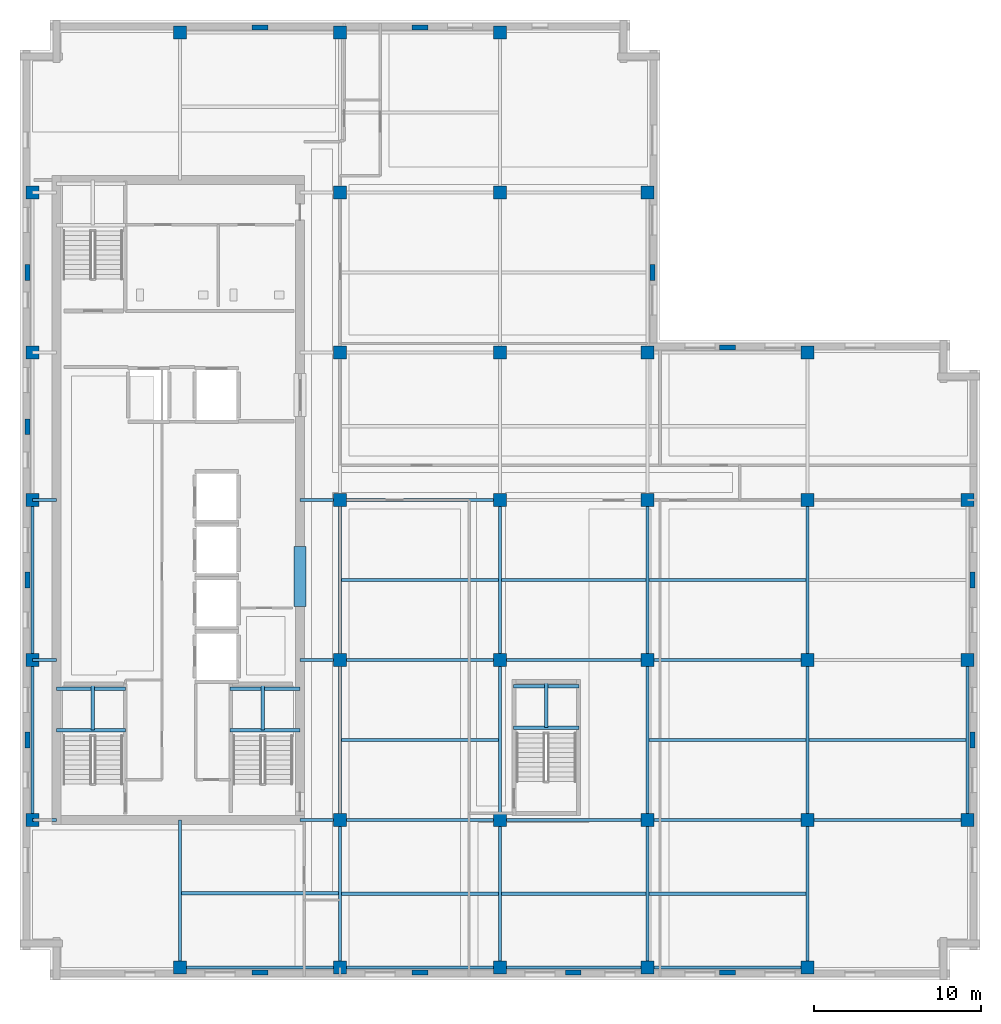
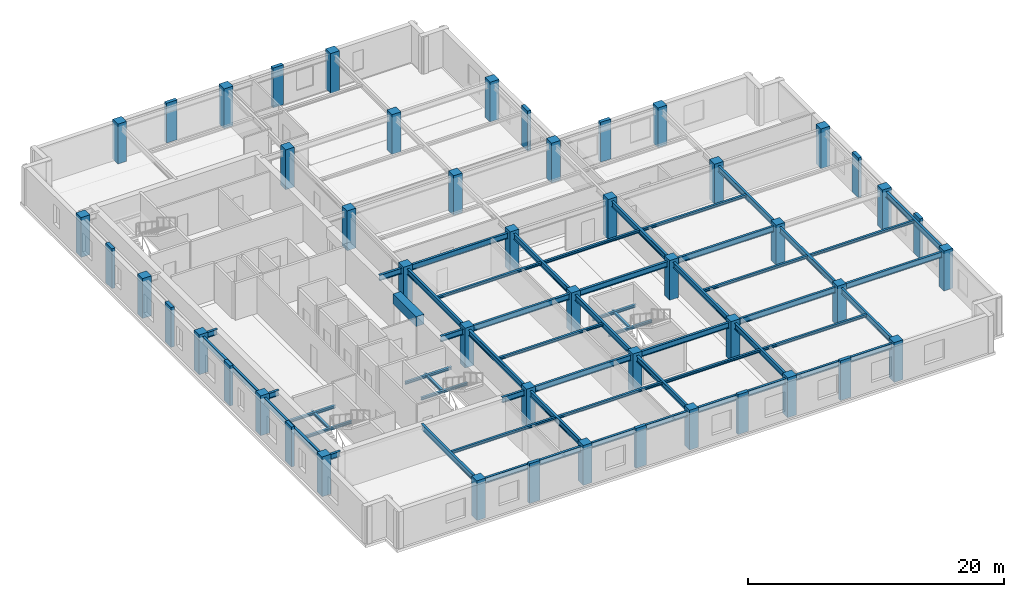
# One storey, part 1 of 12: 54 beams, 49 columns.
"""IFC4 building model written with IfcOpenShell, lengths in metres."""

from ifc_helpers import new_model, si_unit, direction, frame, origin, origin_2d, place, context, subcontext, project, spatial, rectangle, i_section, extrude, material, material_profile, profile_set, type_object, element, save


model = new_model("IFC4")

# Units and contexts
model_context = context("Model", 3, precision=1e-05, world=origin(), true_north=direction((0.0, 1.0)))
body_context = subcontext(model_context, "Body", "Model", "MODEL_VIEW")
ifc_project = project(units=[si_unit("LENGTHUNIT", "METRE"), si_unit("AREAUNIT", "SQUARE_METRE"), si_unit("VOLUMEUNIT", "CUBIC_METRE"), si_unit("PLANEANGLEUNIT", "RADIAN"), si_unit("MASSUNIT", "GRAM", prefix="KILO")], contexts=[model_context])

# Site, building, storey
site_placement = place(None, origin())
site = spatial("IfcSite", under=ifc_project, at=site_placement, CompositionType="ELEMENT")
building_placement = place(site_placement, origin())
building = spatial("IfcBuilding", under=site, at=building_placement, Name="Norrvale University Quadrangle", CompositionType="ELEMENT")
storey_placement = place(building_placement, frame((0.0, 0.0, 244.60009765625)))
storey = spatial("IfcBuildingStorey", under=building, at=storey_placement, Name="L62", CompositionType="ELEMENT", Elevation=244.60009765625)

# Columns
ifc_material_1 = material(Name="Red Manganese Brick Concrete C60/75", Category="concrete")
ifc_material_profile_1 = material_profile(ifc_material_1, rectangle(XDim=0.949951171875, YDim=0.300048828125, at=origin_2d()), Name="Red Manganese Brick Concrete C60/75")
ifc_profile_set_1 = profile_set([ifc_material_profile_1], Name="Red Manganese Brick Concrete C60/75")
column_type_1 = type_object("IfcColumnType", Name="Column Brick Pier 950x300", PredefinedType="PILASTER", material=ifc_profile_set_1)
for number, where, z_axis, x_axis, name in (
    (1, (0.449951171875, 14.39990234375, 0.0), (0.0, 0.0, 1.0), (0.0, 1.0, 0.0), "Exterior Brick Facade Pilaster L62-01"),
    (2, (0.449951171875, 24.0, 0.0), (0.0, 0.0, 1.0), (0.0, 1.0, 0.0), "Exterior Brick Facade Pilaster L62-02"),
    (3, (0.449951171875, 33.199951171875, 0.0), (0.0, 0.0, 1.0), (0.0, 1.0, 0.0), "Exterior Brick Facade Pilaster L62-03"),
    (4, (0.449951171875, 42.449951171875, 0.0), (0.0, 0.0, 1.0), (0.0, 1.0, 0.0), "Exterior Brick Facade Pilaster L62-04"),
    (5, (14.39990234375, 0.449951171875, 0.0), (0.0, 0.0, 1.0), (1.0, 0.0, 0.0), "Exterior Brick Facade Pilaster L62-05"),
    (6, (24.0, 0.449951171875, 0.0), (0.0, 0.0, 1.0), (1.0, 0.0, 0.0), "Exterior Brick Facade Pilaster L62-06"),
    (7, (33.199951171875, 0.449951171875, 0.0), (0.0, 0.0, 1.0), (1.0, 0.0, 0.0), "Exterior Brick Facade Pilaster L62-07"),
    (8, (42.449951171875, 0.449951171875, 0.0), (0.0, 0.0, 1.0), (1.0, 0.0, 0.0), "Exterior Brick Facade Pilaster L62-08"),
    (9, (57.14990234375, 14.39990234375, 0.0), (0.0, 0.0, 1.0), (0.0, 1.0, 0.0), "Exterior Brick Facade Pilaster L62-09"),
    (10, (57.14990234375, 24.0, 0.0), (0.0, 0.0, 1.0), (0.0, 1.0, 0.0), "Exterior Brick Facade Pilaster L62-10"),
    (11, (14.39990234375, 57.14990234375, 0.0), (0.0, 0.0, 1.0), (1.0, 0.0, 0.0), "Exterior Brick Facade Pilaster L62-11"),
    (12, (24.0, 57.14990234375, 0.0), (0.0, 0.0, 1.0), (1.0, 0.0, 0.0), "Exterior Brick Facade Pilaster L62-12"),
    (13, (37.949951171875, 42.449951171875, 0.0), (0.0, 0.0, 1.0), (0.0, 1.0, 0.0), "Exterior Brick Facade Pilaster L62-13"),
    (14, (42.449951171875, 37.949951171875, 0.0), (0.0, 0.0, 1.0), (1.0, 0.0, 0.0), "Exterior Brick Facade Pilaster L62-14"),
):
    element("IfcColumn", number, at=place(storey_placement, frame(where, z_axis=z_axis, x_axis=x_axis)), inside=storey, type_object=column_type_1, Name=name, PredefinedType="PILASTER", context=body_context, shape_type="SweptSolid", body=[
        extrude(rectangle(XDim=0.949951171875, YDim=0.300048828125, at=origin_2d()), origin(), (0.0, 0.0, 1.0), 3.7998046875),
    ])
ifc_material_2 = material(Name="Concrete C60/75", Category="concrete")
ifc_material_profile_2 = material_profile(ifc_material_2, rectangle(XDim=0.800048828125, YDim=0.800048828125, at=origin_2d()), Name="Concrete C60/75")
ifc_profile_set_2 = profile_set([ifc_material_profile_2], Name="Concrete C60/75")
column_type_2 = type_object("IfcColumnType", Name="Column Tower Z3 800x800", PredefinedType="COLUMN", material=ifc_profile_set_2)
for number, where, z_axis, x_axis, name in (
    (15, (0.75, 9.60009765625, 0.0), (0.0, 0.0, 1.0), (1.0, 0.0, 0.0), "Tower Column L62-T01"),
    (16, (0.75, 19.199951171875, 0.0), (0.0, 0.0, 1.0), (1.0, 0.0, 0.0), "Tower Column L62-T02"),
    (17, (0.75, 28.800048828125, 0.0), (0.0, 0.0, 1.0), (1.0, 0.0, 0.0), "Tower Column L62-T03"),
    (18, (0.75, 37.64990234375, 0.0), (0.0, 0.0, 1.0), (1.0, 0.0, 0.0), "Tower Column L62-T04"),
    (19, (0.75, 47.25, 0.0), (0.0, 0.0, 1.0), (1.0, 0.0, 0.0), "Tower Column L62-T05"),
    (20, (9.60009765625, 0.75, 0.0), (0.0, 0.0, 1.0), (1.0, 0.0, 0.0), "Tower Column L62-T06"),
    (21, (9.60009765625, 56.85009765625, 0.0), (0.0, 0.0, 1.0), (1.0, 0.0, 0.0), "Tower Column L62-T07"),
    (22, (19.199951171875, 0.75, 0.0), (0.0, 0.0, 1.0), (1.0, 0.0, 0.0), "Tower Column L62-T08"),
    (23, (19.199951171875, 9.60009765625, 0.0), (0.0, 0.0, 1.0), (1.0, 0.0, 0.0), "Tower Column L62-T09"),
    (24, (19.199951171875, 19.199951171875, 0.0), (0.0, 0.0, 1.0), (1.0, 0.0, 0.0), "Tower Column L62-T10"),
    (25, (19.199951171875, 28.800048828125, 0.0), (0.0, 0.0, 1.0), (1.0, 0.0, 0.0), "Tower Column L62-T11"),
    (26, (19.199951171875, 37.64990234375, 0.0), (0.0, 0.0, 1.0), (1.0, 0.0, 0.0), "Tower Column L62-T12"),
    (27, (19.199951171875, 47.25, 0.0), (0.0, 0.0, 1.0), (1.0, 0.0, 0.0), "Tower Column L62-T13"),
    (28, (19.199951171875, 56.85009765625, 0.0), (0.0, 0.0, 1.0), (1.0, 0.0, 0.0), "Tower Column L62-T14"),
    (29, (28.800048828125, 0.75, 0.0), (0.0, 0.0, 1.0), (1.0, 0.0, 0.0), "Tower Column L62-T15"),
    (30, (28.800048828125, 9.60009765625, 0.0), (0.0, 0.0, 1.0), (1.0, 0.0, 0.0), "Tower Column L62-T16"),
    (31, (28.800048828125, 19.199951171875, 0.0), (0.0, 0.0, 1.0), (1.0, 0.0, 0.0), "Tower Column L62-T17"),
    (32, (28.800048828125, 28.800048828125, 0.0), (0.0, 0.0, 1.0), (1.0, 0.0, 0.0), "Tower Column L62-T18"),
    (33, (28.800048828125, 37.64990234375, 0.0), (0.0, 0.0, 1.0), (1.0, 0.0, 0.0), "Tower Column L62-T19"),
    (34, (28.800048828125, 47.25, 0.0), (0.0, 0.0, 1.0), (1.0, 0.0, 0.0), "Tower Column L62-T20"),
    (35, (28.800048828125, 56.85009765625, 0.0), (0.0, 0.0, 1.0), (1.0, 0.0, 0.0), "Tower Column L62-T21"),
    (36, (37.64990234375, 0.75, 0.0), (0.0, 0.0, 1.0), (1.0, 0.0, 0.0), "Tower Column L62-T22"),
    (37, (37.64990234375, 9.60009765625, 0.0), (0.0, 0.0, 1.0), (1.0, 0.0, 0.0), "Tower Column L62-T23"),
    (38, (37.64990234375, 19.199951171875, 0.0), (0.0, 0.0, 1.0), (1.0, 0.0, 0.0), "Tower Column L62-T24"),
    (39, (37.64990234375, 28.800048828125, 0.0), (0.0, 0.0, 1.0), (1.0, 0.0, 0.0), "Tower Column L62-T25"),
    (40, (37.64990234375, 37.64990234375, 0.0), (0.0, 0.0, 1.0), (1.0, 0.0, 0.0), "Tower Column L62-T26"),
    (41, (37.64990234375, 47.25, 0.0), (0.0, 0.0, 1.0), (1.0, 0.0, 0.0), "Tower Column L62-T27"),
    (42, (47.25, 0.75, 0.0), (0.0, 0.0, 1.0), (1.0, 0.0, 0.0), "Tower Column L62-T28"),
    (43, (47.25, 9.60009765625, 0.0), (0.0, 0.0, 1.0), (1.0, 0.0, 0.0), "Tower Column L62-T29"),
    (44, (47.25, 19.199951171875, 0.0), (0.0, 0.0, 1.0), (1.0, 0.0, 0.0), "Tower Column L62-T30"),
    (45, (47.25, 28.800048828125, 0.0), (0.0, 0.0, 1.0), (1.0, 0.0, 0.0), "Tower Column L62-T31"),
    (46, (47.25, 37.64990234375, 0.0), (0.0, 0.0, 1.0), (1.0, 0.0, 0.0), "Tower Column L62-T32"),
    (47, (56.85009765625, 9.60009765625, 0.0), (0.0, 0.0, 1.0), (1.0, 0.0, 0.0), "Tower Column L62-T33"),
    (48, (56.85009765625, 19.199951171875, 0.0), (0.0, 0.0, 1.0), (1.0, 0.0, 0.0), "Tower Column L62-T34"),
    (49, (56.85009765625, 28.800048828125, 0.0), (0.0, 0.0, 1.0), (1.0, 0.0, 0.0), "Tower Column L62-T35"),
):
    element("IfcColumn", number, at=place(storey_placement, frame(where, z_axis=z_axis, x_axis=x_axis)), inside=storey, type_object=column_type_2, Name=name, PredefinedType="COLUMN", context=body_context, shape_type="SweptSolid", body=[
        extrude(rectangle(XDim=0.800048828125, YDim=0.800048828125, at=origin_2d()), origin(), (0.0, 0.0, 1.0), 3.7998046875),
    ])

# Beams
ifc_material_3 = material(Name="Concrete C80/95", Category="concrete")
ifc_material_profile_3 = material_profile(ifc_material_3, rectangle(XDim=0.699951171875, YDim=0.949951171875, at=origin_2d()), Name="Concrete C80/95")
ifc_profile_set_3 = profile_set([ifc_material_profile_3], Name="Concrete C80/95")
beam_type_1 = type_object("IfcBeamType", Name="Beam Core Link 700x950", PredefinedType="LINTEL", material=ifc_profile_set_3)
beam_1_placement = place(storey_placement, frame((16.800048828125, 22.39990234375, 3.06494140625), z_axis=(0.0, 1.0, 0.0), x_axis=(-1.0, 0.0, 0.0)))
element("IfcBeam", 50, at=beam_1_placement, inside=storey, type_object=beam_type_1, Name="Core Coupling Lintel Beam L62-1", PredefinedType="LINTEL", context=body_context, shape_type="SweptSolid", body=[
    extrude(rectangle(XDim=0.699951171875, YDim=0.949951171875, at=origin_2d()), origin(), (0.0, 0.0, 1.0), 3.60009765625),
])
ifc_material_4 = material(Name="Steel 350W", Category="steel")
ifc_material_profile_4 = material_profile(ifc_material_4, i_section(OverallWidth=0.208984375, OverallDepth=0.532958984375, WebThickness=0.01025390625, FlangeThickness=0.015625, FilletRadius=0.013916015625, at=origin_2d()), Name="Steel 350W")
ifc_profile_set_4 = profile_set([ifc_material_profile_4], Name="Steel 350W")
beam_type_2 = type_object("IfcBeamType", Name="Beam Floor W530x92", PredefinedType="JOIST", material=ifc_profile_set_4)
beam_2_placement = place(storey_placement, frame((9.60009765625, 0.75, 3.2734375), z_axis=(1.0, 0.0, 0.0), x_axis=(0.0, 1.0, 0.0)))
element("IfcBeam", 51, at=beam_2_placement, inside=storey, type_object=beam_type_2, Name="Beam Floor W530x92 BM-L62-GX001", PredefinedType="JOIST", context=body_context, shape_type="SweptSolid", body=[
    extrude(i_section(OverallWidth=0.208984375, OverallDepth=0.532958984375, WebThickness=0.01025390625, FlangeThickness=0.015625, FilletRadius=0.013916015625, at=origin_2d()), origin(), (0.0, 0.0, 1.0), 9.599853515625),
])
beam_3_placement = place(storey_placement, frame((19.199951171875, 0.75, 3.2734375), z_axis=(1.0, 0.0, 0.0), x_axis=(0.0, 1.0, 0.0)))
element("IfcBeam", 52, at=beam_3_placement, inside=storey, type_object=beam_type_2, Name="Beam Floor W530x92 BM-L62-GX002", PredefinedType="JOIST", context=body_context, shape_type="SweptSolid", body=[
    extrude(i_section(OverallWidth=0.208984375, OverallDepth=0.532958984375, WebThickness=0.01025390625, FlangeThickness=0.015625, FilletRadius=0.013916015625, at=origin_2d()), origin(), (0.0, 0.0, 1.0), 9.60009765625),
])
beam_4_placement = place(storey_placement, frame((28.800048828125, 0.75, 3.2734375), z_axis=(1.0, 0.0, 0.0), x_axis=(0.0, 1.0, 0.0)))
element("IfcBeam", 53, at=beam_4_placement, inside=storey, type_object=beam_type_2, Name="Beam Floor W530x92 BM-L62-GX003", PredefinedType="JOIST", context=body_context, shape_type="SweptSolid", body=[
    extrude(i_section(OverallWidth=0.208984375, OverallDepth=0.532958984375, WebThickness=0.01025390625, FlangeThickness=0.015625, FilletRadius=0.013916015625, at=origin_2d()), origin(), (0.0, 0.0, 1.0), 8.849853515625),
])
for number, where, z_axis, x_axis, name in (
    (54, (37.64990234375, 0.75, 3.2734375), (1.0, 0.0, 0.0), (0.0, 1.0, 0.0), "Beam Floor W530x92 BM-L62-GX004"),
    (55, (19.199951171875, 9.60009765625, 3.2734375), (1.0, 0.0, 0.0), (0.0, 1.0, 0.0), "Beam Floor W530x92 BM-L62-GX005"),
):
    element("IfcBeam", number, at=place(storey_placement, frame(where, z_axis=z_axis, x_axis=x_axis)), inside=storey, type_object=beam_type_2, Name=name, PredefinedType="JOIST", context=body_context, shape_type="SweptSolid", body=[
        extrude(i_section(OverallWidth=0.208984375, OverallDepth=0.532958984375, WebThickness=0.01025390625, FlangeThickness=0.015625, FilletRadius=0.013916015625, at=origin_2d()), origin(), (0.0, 0.0, 1.0), 9.60009765625),
    ])
beam_5_placement = place(storey_placement, frame((28.800048828125, 9.60009765625, 3.2734375), z_axis=(1.0, 0.0, 0.0), x_axis=(0.0, 1.0, 0.0)))
element("IfcBeam", 56, at=beam_5_placement, inside=storey, type_object=beam_type_2, Name="Beam Floor W530x92 BM-L62-GX006", PredefinedType="JOIST", context=body_context, shape_type="SweptSolid", body=[
    extrude(i_section(OverallWidth=0.208984375, OverallDepth=0.532958984375, WebThickness=0.01025390625, FlangeThickness=0.015625, FilletRadius=0.013916015625, at=origin_2d()), origin(), (0.0, 0.0, 1.0), 8.849853515625),
])
for number, where, z_axis, x_axis, name in (
    (57, (37.64990234375, 9.60009765625, 3.2734375), (1.0, 0.0, 0.0), (0.0, 1.0, 0.0), "Beam Floor W530x92 BM-L62-GX007"),
    (58, (47.25, 9.60009765625, 3.2734375), (1.0, 0.0, 0.0), (0.0, 1.0, 0.0), "Beam Floor W530x92 BM-L62-GX008"),
    (59, (19.199951171875, 19.199951171875, 3.2734375), (1.0, 0.0, 0.0), (0.0, 1.0, 0.0), "Beam Floor W530x92 BM-L62-GX009"),
):
    element("IfcBeam", number, at=place(storey_placement, frame(where, z_axis=z_axis, x_axis=x_axis)), inside=storey, type_object=beam_type_2, Name=name, PredefinedType="JOIST", context=body_context, shape_type="SweptSolid", body=[
        extrude(i_section(OverallWidth=0.208984375, OverallDepth=0.532958984375, WebThickness=0.01025390625, FlangeThickness=0.015625, FilletRadius=0.013916015625, at=origin_2d()), origin(), (0.0, 0.0, 1.0), 9.60009765625),
    ])
beam_6_placement = place(storey_placement, frame((28.800048828125, 19.199951171875, 3.2734375), z_axis=(1.0, 0.0, 0.0), x_axis=(0.0, 1.0, 0.0)))
element("IfcBeam", 60, at=beam_6_placement, inside=storey, type_object=beam_type_2, Name="Beam Floor W530x92 BM-L62-GX010", PredefinedType="JOIST", context=body_context, shape_type="SweptSolid", body=[
    extrude(i_section(OverallWidth=0.208984375, OverallDepth=0.532958984375, WebThickness=0.01025390625, FlangeThickness=0.015625, FilletRadius=0.013916015625, at=origin_2d()), origin(), (0.0, 0.0, 1.0), 8.849853515625),
])
for number, where, z_axis, x_axis, name in (
    (61, (37.64990234375, 19.199951171875, 3.2734375), (1.0, 0.0, 0.0), (0.0, 1.0, 0.0), "Beam Floor W530x92 BM-L62-GX011"),
    (62, (19.199951171875, 28.800048828125, 3.2734375), (1.0, 0.0, 0.0), (0.0, 1.0, 0.0), "Beam Floor W530x92 BM-L62-GX013"),
):
    element("IfcBeam", number, at=place(storey_placement, frame(where, z_axis=z_axis, x_axis=x_axis)), inside=storey, type_object=beam_type_2, Name=name, PredefinedType="JOIST", context=body_context, shape_type="SweptSolid", body=[
        extrude(i_section(OverallWidth=0.208984375, OverallDepth=0.532958984375, WebThickness=0.01025390625, FlangeThickness=0.015625, FilletRadius=0.013916015625, at=origin_2d()), origin(), (0.0, 0.0, 1.0), 9.60009765625),
    ])
beam_7_placement = place(storey_placement, frame((0.75, 9.60009765625, 3.2734375), z_axis=(0.0, 1.0, 0.0), x_axis=(-1.0, 0.0, 0.0)))
element("IfcBeam", 63, at=beam_7_placement, inside=storey, type_object=beam_type_2, Name="Beam Floor W530x92 BM-L62-GY024", PredefinedType="JOIST", context=body_context, shape_type="SweptSolid", body=[
    extrude(i_section(OverallWidth=0.208984375, OverallDepth=0.532958984375, WebThickness=0.01025390625, FlangeThickness=0.015625, FilletRadius=0.013916015625, at=origin_2d()), origin(), (0.0, 0.0, 1.0), 9.599853515625),
])
beam_8_placement = place(storey_placement, frame((0.75, 19.199951171875, 3.2734375), z_axis=(0.0, 1.0, 0.0), x_axis=(-1.0, 0.0, 0.0)))
element("IfcBeam", 64, at=beam_8_placement, inside=storey, type_object=beam_type_2, Name="Beam Floor W530x92 BM-L62-GY025", PredefinedType="JOIST", context=body_context, shape_type="SweptSolid", body=[
    extrude(i_section(OverallWidth=0.208984375, OverallDepth=0.532958984375, WebThickness=0.01025390625, FlangeThickness=0.015625, FilletRadius=0.013916015625, at=origin_2d()), origin(), (0.0, 0.0, 1.0), 9.60009765625),
])
beam_9_placement = place(storey_placement, frame((19.199951171875, 0.75, 3.2734375), z_axis=(0.0, 1.0, 0.0), x_axis=(-1.0, 0.0, 0.0)))
element("IfcBeam", 65, at=beam_9_placement, inside=storey, type_object=beam_type_2, Name="Beam Floor W530x92 BM-L62-GY028", PredefinedType="JOIST", context=body_context, shape_type="SweptSolid", body=[
    extrude(i_section(OverallWidth=0.208984375, OverallDepth=0.532958984375, WebThickness=0.01025390625, FlangeThickness=0.015625, FilletRadius=0.013916015625, at=origin_2d()), origin(), (0.0, 0.0, 1.0), 8.85009765625),
])
beam_10_placement = place(storey_placement, frame((19.199951171875, 9.60009765625, 3.2734375), z_axis=(0.0, 1.0, 0.0), x_axis=(-1.0, 0.0, 0.0)))
element("IfcBeam", 66, at=beam_10_placement, inside=storey, type_object=beam_type_2, Name="Beam Floor W530x92 BM-L62-GY029", PredefinedType="JOIST", context=body_context, shape_type="SweptSolid", body=[
    extrude(i_section(OverallWidth=0.208984375, OverallDepth=0.532958984375, WebThickness=0.01025390625, FlangeThickness=0.015625, FilletRadius=0.013916015625, at=origin_2d()), origin(), (0.0, 0.0, 1.0), 9.599853515625),
])
beam_11_placement = place(storey_placement, frame((19.199951171875, 19.199951171875, 3.2734375), z_axis=(0.0, 1.0, 0.0), x_axis=(-1.0, 0.0, 0.0)))
element("IfcBeam", 67, at=beam_11_placement, inside=storey, type_object=beam_type_2, Name="Beam Floor W530x92 BM-L62-GY030", PredefinedType="JOIST", context=body_context, shape_type="SweptSolid", body=[
    extrude(i_section(OverallWidth=0.208984375, OverallDepth=0.532958984375, WebThickness=0.01025390625, FlangeThickness=0.015625, FilletRadius=0.013916015625, at=origin_2d()), origin(), (0.0, 0.0, 1.0), 9.60009765625),
])
beam_12_placement = place(storey_placement, frame((28.800048828125, 0.75, 3.2734375), z_axis=(0.0, 1.0, 0.0), x_axis=(-1.0, 0.0, 0.0)))
element("IfcBeam", 68, at=beam_12_placement, inside=storey, type_object=beam_type_2, Name="Beam Floor W530x92 BM-L62-GY034", PredefinedType="JOIST", context=body_context, shape_type="SweptSolid", body=[
    extrude(i_section(OverallWidth=0.208984375, OverallDepth=0.532958984375, WebThickness=0.01025390625, FlangeThickness=0.015625, FilletRadius=0.013916015625, at=origin_2d()), origin(), (0.0, 0.0, 1.0), 8.85009765625),
])
beam_13_placement = place(storey_placement, frame((28.800048828125, 9.60009765625, 3.2734375), z_axis=(0.0, 1.0, 0.0), x_axis=(-1.0, 0.0, 0.0)))
element("IfcBeam", 69, at=beam_13_placement, inside=storey, type_object=beam_type_2, Name="Beam Floor W530x92 BM-L62-GY035", PredefinedType="JOIST", context=body_context, shape_type="SweptSolid", body=[
    extrude(i_section(OverallWidth=0.208984375, OverallDepth=0.532958984375, WebThickness=0.01025390625, FlangeThickness=0.015625, FilletRadius=0.013916015625, at=origin_2d()), origin(), (0.0, 0.0, 1.0), 9.599853515625),
])
beam_14_placement = place(storey_placement, frame((28.800048828125, 19.199951171875, 3.2734375), z_axis=(0.0, 1.0, 0.0), x_axis=(-1.0, 0.0, 0.0)))
element("IfcBeam", 70, at=beam_14_placement, inside=storey, type_object=beam_type_2, Name="Beam Floor W530x92 BM-L62-GY036", PredefinedType="JOIST", context=body_context, shape_type="SweptSolid", body=[
    extrude(i_section(OverallWidth=0.208984375, OverallDepth=0.532958984375, WebThickness=0.01025390625, FlangeThickness=0.015625, FilletRadius=0.013916015625, at=origin_2d()), origin(), (0.0, 0.0, 1.0), 9.60009765625),
])
beam_15_placement = place(storey_placement, frame((37.64990234375, 0.75, 3.2734375), z_axis=(0.0, 1.0, 0.0), x_axis=(-1.0, 0.0, 0.0)))
element("IfcBeam", 71, at=beam_15_placement, inside=storey, type_object=beam_type_2, Name="Beam Floor W530x92 BM-L62-GY040", PredefinedType="JOIST", context=body_context, shape_type="SweptSolid", body=[
    extrude(i_section(OverallWidth=0.208984375, OverallDepth=0.532958984375, WebThickness=0.01025390625, FlangeThickness=0.015625, FilletRadius=0.013916015625, at=origin_2d()), origin(), (0.0, 0.0, 1.0), 8.85009765625),
])
beam_16_placement = place(storey_placement, frame((37.64990234375, 9.60009765625, 3.2734375), z_axis=(0.0, 1.0, 0.0), x_axis=(-1.0, 0.0, 0.0)))
element("IfcBeam", 72, at=beam_16_placement, inside=storey, type_object=beam_type_2, Name="Beam Floor W530x92 BM-L62-GY041", PredefinedType="JOIST", context=body_context, shape_type="SweptSolid", body=[
    extrude(i_section(OverallWidth=0.208984375, OverallDepth=0.532958984375, WebThickness=0.01025390625, FlangeThickness=0.015625, FilletRadius=0.013916015625, at=origin_2d()), origin(), (0.0, 0.0, 1.0), 9.599853515625),
])
beam_17_placement = place(storey_placement, frame((37.64990234375, 19.199951171875, 3.2734375), z_axis=(0.0, 1.0, 0.0), x_axis=(-1.0, 0.0, 0.0)))
element("IfcBeam", 73, at=beam_17_placement, inside=storey, type_object=beam_type_2, Name="Beam Floor W530x92 BM-L62-GY042", PredefinedType="JOIST", context=body_context, shape_type="SweptSolid", body=[
    extrude(i_section(OverallWidth=0.208984375, OverallDepth=0.532958984375, WebThickness=0.01025390625, FlangeThickness=0.015625, FilletRadius=0.013916015625, at=origin_2d()), origin(), (0.0, 0.0, 1.0), 9.60009765625),
])
beam_18_placement = place(storey_placement, frame((47.25, 0.75, 3.2734375), z_axis=(0.0, 1.0, 0.0), x_axis=(-1.0, 0.0, 0.0)))
element("IfcBeam", 74, at=beam_18_placement, inside=storey, type_object=beam_type_2, Name="Beam Floor W530x92 BM-L62-GY045", PredefinedType="JOIST", context=body_context, shape_type="SweptSolid", body=[
    extrude(i_section(OverallWidth=0.208984375, OverallDepth=0.532958984375, WebThickness=0.01025390625, FlangeThickness=0.015625, FilletRadius=0.013916015625, at=origin_2d()), origin(), (0.0, 0.0, 1.0), 8.85009765625),
])
beam_19_placement = place(storey_placement, frame((47.25, 9.60009765625, 3.2734375), z_axis=(0.0, 1.0, 0.0), x_axis=(-1.0, 0.0, 0.0)))
element("IfcBeam", 75, at=beam_19_placement, inside=storey, type_object=beam_type_2, Name="Beam Floor W530x92 BM-L62-GY046", PredefinedType="JOIST", context=body_context, shape_type="SweptSolid", body=[
    extrude(i_section(OverallWidth=0.208984375, OverallDepth=0.532958984375, WebThickness=0.01025390625, FlangeThickness=0.015625, FilletRadius=0.013916015625, at=origin_2d()), origin(), (0.0, 0.0, 1.0), 9.599853515625),
])
beam_20_placement = place(storey_placement, frame((47.25, 19.199951171875, 3.2734375), z_axis=(0.0, 1.0, 0.0), x_axis=(-1.0, 0.0, 0.0)))
element("IfcBeam", 76, at=beam_20_placement, inside=storey, type_object=beam_type_2, Name="Beam Floor W530x92 BM-L62-GY047", PredefinedType="JOIST", context=body_context, shape_type="SweptSolid", body=[
    extrude(i_section(OverallWidth=0.208984375, OverallDepth=0.532958984375, WebThickness=0.01025390625, FlangeThickness=0.015625, FilletRadius=0.013916015625, at=origin_2d()), origin(), (0.0, 0.0, 1.0), 9.60009765625),
])
beam_21_placement = place(storey_placement, frame((56.85009765625, 9.60009765625, 3.2734375), z_axis=(0.0, 1.0, 0.0), x_axis=(-1.0, 0.0, 0.0)))
element("IfcBeam", 77, at=beam_21_placement, inside=storey, type_object=beam_type_2, Name="Beam Floor W530x92 BM-L62-GY049", PredefinedType="JOIST", context=body_context, shape_type="SweptSolid", body=[
    extrude(i_section(OverallWidth=0.208984375, OverallDepth=0.532958984375, WebThickness=0.01025390625, FlangeThickness=0.015625, FilletRadius=0.013916015625, at=origin_2d()), origin(), (0.0, 0.0, 1.0), 9.599853515625),
])
beam_22_placement = place(storey_placement, frame((0.75, 9.60009765625, 3.2734375), z_axis=(1.0, 0.0, 0.0), x_axis=(0.0, 1.0, 0.0)))
element("IfcBeam", 78, at=beam_22_placement, inside=storey, type_object=beam_type_2, Name="Beam Floor W530x92 BM-L62-GCW051", PredefinedType="JOIST", context=body_context, shape_type="SweptSolid", body=[
    extrude(i_section(OverallWidth=0.208984375, OverallDepth=0.532958984375, WebThickness=0.01025390625, FlangeThickness=0.015625, FilletRadius=0.013916015625, at=origin_2d()), origin(), (0.0, 0.0, 1.0), 1.449951171875),
])
beam_23_placement = place(storey_placement, frame((16.800048828125, 9.60009765625, 3.2734375), z_axis=(1.0, 0.0, 0.0), x_axis=(0.0, 1.0, 0.0)))
element("IfcBeam", 79, at=beam_23_placement, inside=storey, type_object=beam_type_2, Name="Beam Floor W530x92 BM-L62-GCE052", PredefinedType="JOIST", context=body_context, shape_type="SweptSolid", body=[
    extrude(i_section(OverallWidth=0.208984375, OverallDepth=0.532958984375, WebThickness=0.01025390625, FlangeThickness=0.015625, FilletRadius=0.013916015625, at=origin_2d()), origin(), (0.0, 0.0, 1.0), 2.39990234375),
])
beam_24_placement = place(storey_placement, frame((0.75, 19.199951171875, 3.2734375), z_axis=(1.0, 0.0, 0.0), x_axis=(0.0, 1.0, 0.0)))
element("IfcBeam", 80, at=beam_24_placement, inside=storey, type_object=beam_type_2, Name="Beam Floor W530x92 BM-L62-GCW053", PredefinedType="JOIST", context=body_context, shape_type="SweptSolid", body=[
    extrude(i_section(OverallWidth=0.208984375, OverallDepth=0.532958984375, WebThickness=0.01025390625, FlangeThickness=0.015625, FilletRadius=0.013916015625, at=origin_2d()), origin(), (0.0, 0.0, 1.0), 1.449951171875),
])
beam_25_placement = place(storey_placement, frame((16.800048828125, 19.199951171875, 3.2734375), z_axis=(1.0, 0.0, 0.0), x_axis=(0.0, 1.0, 0.0)))
element("IfcBeam", 81, at=beam_25_placement, inside=storey, type_object=beam_type_2, Name="Beam Floor W530x92 BM-L62-GCE054", PredefinedType="JOIST", context=body_context, shape_type="SweptSolid", body=[
    extrude(i_section(OverallWidth=0.208984375, OverallDepth=0.532958984375, WebThickness=0.01025390625, FlangeThickness=0.015625, FilletRadius=0.013916015625, at=origin_2d()), origin(), (0.0, 0.0, 1.0), 2.39990234375),
])
beam_26_placement = place(storey_placement, frame((0.75, 28.800048828125, 3.2734375), z_axis=(1.0, 0.0, 0.0), x_axis=(0.0, 1.0, 0.0)))
element("IfcBeam", 82, at=beam_26_placement, inside=storey, type_object=beam_type_2, Name="Beam Floor W530x92 BM-L62-GCW055", PredefinedType="JOIST", context=body_context, shape_type="SweptSolid", body=[
    extrude(i_section(OverallWidth=0.208984375, OverallDepth=0.532958984375, WebThickness=0.01025390625, FlangeThickness=0.015625, FilletRadius=0.013916015625, at=origin_2d()), origin(), (0.0, 0.0, 1.0), 1.449951171875),
])
beam_27_placement = place(storey_placement, frame((16.800048828125, 28.800048828125, 3.2734375), z_axis=(1.0, 0.0, 0.0), x_axis=(0.0, 1.0, 0.0)))
element("IfcBeam", 83, at=beam_27_placement, inside=storey, type_object=beam_type_2, Name="Beam Floor W530x92 BM-L62-GCE056", PredefinedType="JOIST", context=body_context, shape_type="SweptSolid", body=[
    extrude(i_section(OverallWidth=0.208984375, OverallDepth=0.532958984375, WebThickness=0.01025390625, FlangeThickness=0.015625, FilletRadius=0.013916015625, at=origin_2d()), origin(), (0.0, 0.0, 1.0), 2.39990234375),
])
beam_28_placement = place(storey_placement, frame((9.60009765625, 0.75, 3.2734375), z_axis=(0.0, 1.0, 0.0), x_axis=(-1.0, 0.0, 0.0)))
element("IfcBeam", 84, at=beam_28_placement, inside=storey, type_object=beam_type_2, Name="Beam Floor W530x92 BM-L62-GCS077", PredefinedType="JOIST", context=body_context, shape_type="SweptSolid", body=[
    extrude(i_section(OverallWidth=0.208984375, OverallDepth=0.532958984375, WebThickness=0.01025390625, FlangeThickness=0.015625, FilletRadius=0.013916015625, at=origin_2d()), origin(), (0.0, 0.0, 1.0), 8.85009765625),
])
ifc_material_profile_5 = material_profile(ifc_material_4, i_section(OverallWidth=0.201904296875, OverallDepth=0.2470703125, WebThickness=0.00732421875, FlangeThickness=0.010986328125, FilletRadius=0.011962890625, at=origin_2d()), Name="Steel 350W")
ifc_profile_set_5 = profile_set([ifc_material_profile_5], Name="Steel 350W")
beam_type_3 = type_object("IfcBeamType", Name="Beam Stair W250x49", PredefinedType="BEAM", material=ifc_profile_set_5)
for number, where, z_axis, x_axis, name in (
    (85, (19.304443359375, 5.175048828125, 3.41650390625), (1.0, 0.0, 0.0), (0.0, 1.0, 0.0), "Beam Stair W250x49 BM-L62-J061"),
    (86, (19.304443359375, 14.39990234375, 3.41650390625), (1.0, 0.0, 0.0), (0.0, 1.0, 0.0), "Beam Stair W250x49 BM-L62-J062"),
    (87, (19.304443359375, 24.0, 3.41650390625), (1.0, 0.0, 0.0), (0.0, 1.0, 0.0), "Beam Stair W250x49 BM-L62-J063"),
):
    element("IfcBeam", number, at=place(storey_placement, frame(where, z_axis=z_axis, x_axis=x_axis)), inside=storey, type_object=beam_type_3, Name=name, PredefinedType="BEAM", context=body_context, shape_type="SweptSolid", body=[
        extrude(i_section(OverallWidth=0.201904296875, OverallDepth=0.2470703125, WebThickness=0.00732421875, FlangeThickness=0.010986328125, FilletRadius=0.011962890625, at=origin_2d()), origin(), (0.0, 0.0, 1.0), 9.39111328125),
    ])
for number, where, z_axis, x_axis, name in (
    (88, (28.904541015625, 5.175048828125, 3.41650390625), (1.0, 0.0, 0.0), (0.0, 1.0, 0.0), "Beam Stair W250x49 BM-L62-J067"),
    (89, (28.904541015625, 24.0, 3.41650390625), (1.0, 0.0, 0.0), (0.0, 1.0, 0.0), "Beam Stair W250x49 BM-L62-J068"),
):
    element("IfcBeam", number, at=place(storey_placement, frame(where, z_axis=z_axis, x_axis=x_axis)), inside=storey, type_object=beam_type_3, Name=name, PredefinedType="BEAM", context=body_context, shape_type="SweptSolid", body=[
        extrude(i_section(OverallWidth=0.201904296875, OverallDepth=0.2470703125, WebThickness=0.00732421875, FlangeThickness=0.010986328125, FilletRadius=0.011962890625, at=origin_2d()), origin(), (0.0, 0.0, 1.0), 8.640869140625),
    ])
for number, where, z_axis, x_axis, name in (
    (90, (37.75439453125, 5.175048828125, 3.41650390625), (1.0, 0.0, 0.0), (0.0, 1.0, 0.0), "Beam Stair W250x49 BM-L62-J071"),
    (91, (37.75439453125, 14.39990234375, 3.41650390625), (1.0, 0.0, 0.0), (0.0, 1.0, 0.0), "Beam Stair W250x49 BM-L62-J072"),
    (92, (37.75439453125, 24.0, 3.41650390625), (1.0, 0.0, 0.0), (0.0, 1.0, 0.0), "Beam Stair W250x49 BM-L62-J073"),
    (93, (47.3544921875, 14.39990234375, 3.41650390625), (1.0, 0.0, 0.0), (0.0, 1.0, 0.0), "Beam Stair W250x49 BM-L62-J075"),
):
    element("IfcBeam", number, at=place(storey_placement, frame(where, z_axis=z_axis, x_axis=x_axis)), inside=storey, type_object=beam_type_3, Name=name, PredefinedType="BEAM", context=body_context, shape_type="SweptSolid", body=[
        extrude(i_section(OverallWidth=0.201904296875, OverallDepth=0.2470703125, WebThickness=0.00732421875, FlangeThickness=0.010986328125, FilletRadius=0.011962890625, at=origin_2d()), origin(), (0.0, 0.0, 1.0), 9.39111328125),
    ])
beam_29_placement = place(storey_placement, frame((9.70458984375, 5.199951171875, 3.41650390625), z_axis=(1.0, 0.0, 0.0), x_axis=(0.0, 1.0, 0.0)))
element("IfcBeam", 94, at=beam_29_placement, inside=storey, type_object=beam_type_3, Name="Beam Stair W250x49 BM-L62-JCS078", PredefinedType="BEAM", context=body_context, shape_type="SweptSolid", body=[
    extrude(i_section(OverallWidth=0.201904296875, OverallDepth=0.2470703125, WebThickness=0.00732421875, FlangeThickness=0.010986328125, FilletRadius=0.011962890625, at=origin_2d()), origin(), (0.0, 0.0, 1.0), 9.390869140625),
])
for number, where, z_axis, x_axis, name in (
    (95, (2.199951171875, 14.989990234375, 1.576416015625), (1.0, 0.0, 0.0), (0.0, 1.0, 0.0), "Stair Mid-Landing Front Beam ST-01 L62"),
    (96, (2.199951171875, 17.469970703125, 1.576416015625), (1.0, 0.0, 0.0), (0.0, 1.0, 0.0), "Stair Mid-Landing Rear Beam ST-01 L62"),
):
    element("IfcBeam", number, at=place(storey_placement, frame(where, z_axis=z_axis, x_axis=x_axis)), inside=storey, type_object=beam_type_3, Name=name, PredefinedType="BEAM", context=body_context, shape_type="SweptSolid", body=[
        extrude(i_section(OverallWidth=0.201904296875, OverallDepth=0.2470703125, WebThickness=0.00732421875, FlangeThickness=0.010986328125, FilletRadius=0.011962890625, at=origin_2d()), origin(), (0.0, 0.0, 1.0), 4.14013671875),
    ])
for number, where, z_axis, x_axis, name in (
    (97, (12.610107421875, 14.989990234375, 1.576416015625), (1.0, 0.0, 0.0), (0.0, 1.0, 0.0), "Stair Mid-Landing Front Beam ST-03 L62"),
    (98, (12.610107421875, 17.469970703125, 1.576416015625), (1.0, 0.0, 0.0), (0.0, 1.0, 0.0), "Stair Mid-Landing Rear Beam ST-03 L62"),
):
    element("IfcBeam", number, at=place(storey_placement, frame(where, z_axis=z_axis, x_axis=x_axis)), inside=storey, type_object=beam_type_3, Name=name, PredefinedType="BEAM", context=body_context, shape_type="SweptSolid", body=[
        extrude(i_section(OverallWidth=0.201904296875, OverallDepth=0.2470703125, WebThickness=0.00732421875, FlangeThickness=0.010986328125, FilletRadius=0.011962890625, at=origin_2d()), origin(), (0.0, 0.0, 1.0), 4.18994140625),
    ])
for number, where, z_axis, x_axis, name in (
    (99, (29.610107421875, 15.139892578125, 1.576416015625), (1.0, 0.0, 0.0), (0.0, 1.0, 0.0), "Stair Mid-Landing Front Beam ST-04 L62"),
    (100, (29.610107421875, 17.6201171875, 1.576416015625), (1.0, 0.0, 0.0), (0.0, 1.0, 0.0), "Stair Mid-Landing Rear Beam ST-04 L62"),
):
    element("IfcBeam", number, at=place(storey_placement, frame(where, z_axis=z_axis, x_axis=x_axis)), inside=storey, type_object=beam_type_3, Name=name, PredefinedType="BEAM", context=body_context, shape_type="SweptSolid", body=[
        extrude(i_section(OverallWidth=0.201904296875, OverallDepth=0.2470703125, WebThickness=0.00732421875, FlangeThickness=0.010986328125, FilletRadius=0.011962890625, at=origin_2d()), origin(), (0.0, 0.0, 1.0), 3.929931640625),
    ])
ifc_material_profile_6 = material_profile(ifc_material_4, i_section(OverallWidth=0.202880859375, OverallDepth=0.202880859375, WebThickness=0.007080078125, FlangeThickness=0.010986328125, FilletRadius=0.010009765625, at=origin_2d()), Name="Steel 350W")
ifc_profile_set_6 = profile_set([ifc_material_profile_6], Name="Steel 350W")
beam_type_4 = type_object("IfcBeamType", Name="Beam Trim W200x46", PredefinedType="BEAM", material=ifc_profile_set_6)
for number, where, z_axis, x_axis, name in (
    (101, (4.375, 14.989990234375, 1.598388671875), (0.0, 1.0, 0.0), (-1.0, 0.0, 0.0), "Stair Mid-Landing Cross Beam ST-01 L62"),
    (102, (14.574951171875, 14.989990234375, 1.598388671875), (0.0, 1.0, 0.0), (-1.0, 0.0, 0.0), "Stair Mid-Landing Cross Beam ST-03 L62"),
    (103, (31.574951171875, 15.139892578125, 1.598388671875), (0.0, 1.0, 0.0), (-1.0, 0.0, 0.0), "Stair Mid-Landing Cross Beam ST-04 L62"),
):
    element("IfcBeam", number, at=place(storey_placement, frame(where, z_axis=z_axis, x_axis=x_axis)), inside=storey, type_object=beam_type_4, Name=name, PredefinedType="BEAM", context=body_context, shape_type="SweptSolid", body=[
        extrude(i_section(OverallWidth=0.202880859375, OverallDepth=0.202880859375, WebThickness=0.007080078125, FlangeThickness=0.010986328125, FilletRadius=0.010009765625, at=origin_2d()), origin(), (0.0, 0.0, 1.0), 2.800048828125),
    ])

save(model, "model.ifc")
